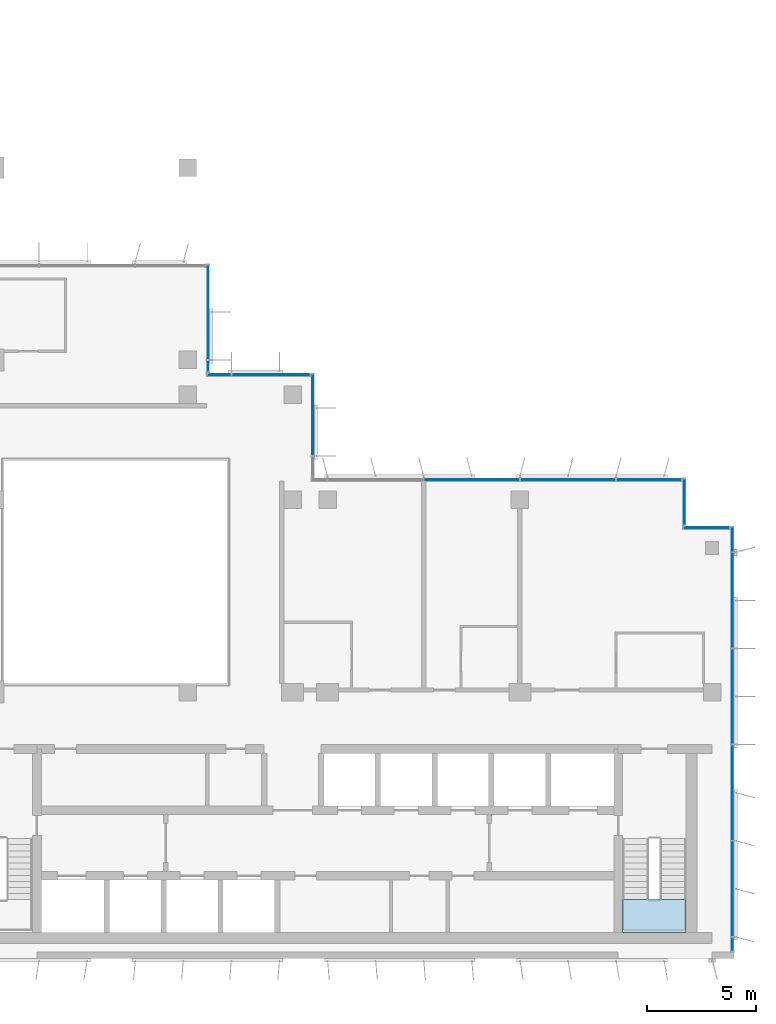
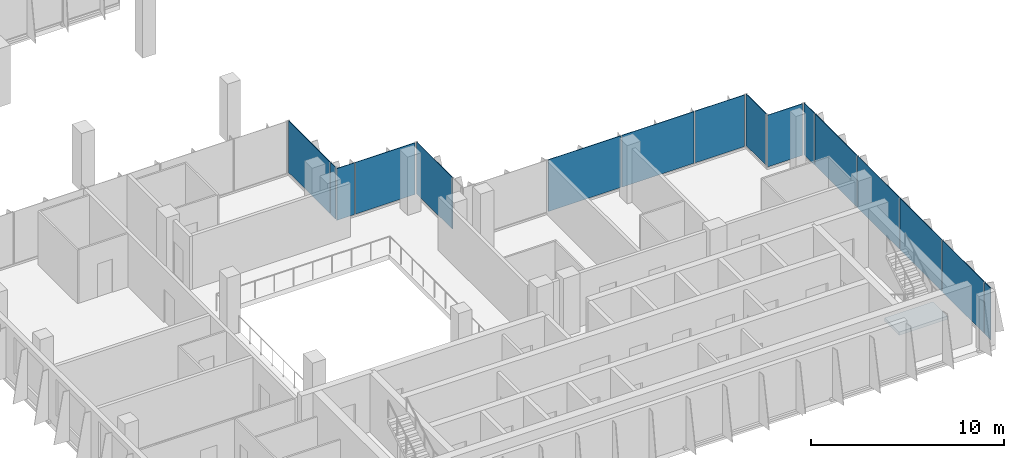
# One storey, part 7 of 14: 16 plates, 1 slab, 8 elements without a shape of their own.
"""IFC4 building model written with IfcOpenShell, lengths in metres."""

from ifc_helpers import new_model, si_unit, direction, frame, origin, origin_2d, place, context, subcontext, project, spatial, polyline, rectangle, outline, extrude, source, transform, mapped, material, layer, layer_set, type_object, element, aggregate, save


model = new_model("IFC4")

# Units and contexts
model_context = context("Model", 3, precision=1e-05, world=origin(), true_north=direction((0.0, 1.0)))
body_context = subcontext(model_context, "Body", "Model", "MODEL_VIEW")
ifc_project = project(units=[si_unit("LENGTHUNIT", "METRE"), si_unit("AREAUNIT", "SQUARE_METRE"), si_unit("VOLUMEUNIT", "CUBIC_METRE"), si_unit("PLANEANGLEUNIT", "RADIAN"), si_unit("MASSUNIT", "GRAM", prefix="KILO")], contexts=[model_context])

# Site, building, storey
site_placement = place(None, origin())
site = spatial("IfcSite", under=ifc_project, at=site_placement, CompositionType="ELEMENT")
building_placement = place(site_placement, origin())
building = spatial("IfcBuilding", under=site, at=building_placement, Name="Kemantara Hotel Tower", CompositionType="ELEMENT")
storey_placement = place(building_placement, frame((0.0, 0.0, 245.0)))
storey = spatial("IfcBuildingStorey", under=building, at=storey_placement, Name="L61", CompositionType="ELEMENT", Elevation=245.0)

# Stair, slab
ifc_material_1 = material(Name="Concrete fc 40 MPa", Category="concrete")
stair_type = type_object("IfcStairType", Name="Stair 1200 wide 22 risers of 168 x 280 mm", PredefinedType="HALF_TURN_STAIR", material=ifc_material_1)
stair_placement = place(storey_placement, origin())
stair = element("IfcStair", 1, at=stair_placement, inside=storey, type_object=stair_type, Name="L61 Exit stair ST2", PredefinedType="HALF_TURN_STAIR")
ifc_layer_1 = layer(ifc_material_1, 0.199951171875)
ifc_layer_set_1 = layer_set([ifc_layer_1], Name="Concrete fc 40 MPa")
slab_type = type_object("IfcSlabType", Name="Stair landing 200 mm", PredefinedType="LANDING", material=ifc_layer_set_1)
slab_placement = place(storey_placement, frame((0.0, 0.0, 1.64990234375)))
slab = element("IfcSlab", 2, at=slab_placement, type_object=slab_type, Name="ST2 landing 1", PredefinedType="LANDING", context=body_context, shape_type="SweptSolid", body=[
    extrude(outline(polyline([(40.89990234375, 2.699951171875), (40.89990234375, 1.199951171875), (43.800048828125, 1.199951171875), (43.800048828125, 2.699951171875), (40.89990234375, 2.699951171875)])), origin(), (0.0, 0.0, 1.0), 0.2001953125),
])
aggregate(stair, [slab])

# Curtain wall, plates
ifc_material_2 = material(Name="Low-E tinted double insulated glass 36 mm", Category="glass")
curtain_wall_type = type_object("IfcCurtainWallType", Name="TOWER CURTAIN WALL, FRONT FACES", PredefinedType="USERDEFINED", material=ifc_material_2)
curtain_wall_1_placement = place(storey_placement, origin())
curtain_wall_1 = element("IfcCurtainWall", 3, at=curtain_wall_1_placement, inside=storey, type_object=curtain_wall_type, Name="CW4 L61 T4P-R06-1", ObjectType="TOWER CURTAIN WALL, FRONT FACES", PredefinedType="USERDEFINED")
ifc_layer_2 = layer(ifc_material_2, 0.035888671875)
ifc_layer_set_2 = layer_set([ifc_layer_2], Name="Low-E tinted double insulated glass 36 mm")
plate_type = type_object("IfcPlateType", Name="TOWER CURTAIN WALL, FRONT FACES PANEL", PredefinedType="CURTAIN_PANEL", material=ifc_layer_set_2)
shared_shape_1 = source(origin(), body_context, "Body", "SweptSolid", [
    extrude(rectangle(XDim=4.340087890625, YDim=0.035888671875, at=origin_2d()), origin(), (0.0, 0.0, 1.0), 3.280029296875),
])
plate_1_placement = place(storey_placement, frame((45.925048828125, 3.199951171875, 0.1201171875), z_axis=(0.0, 0.0, 1.0), x_axis=(0.0, 1.0, 0.0)))
plate_1 = element("IfcPlate", 4, at=plate_1_placement, type_object=plate_type, Name="CW4 glass panel T4P-R06-1.2", PredefinedType="CURTAIN_PANEL", context=body_context, shape_type="MappedRepresentation", body=[
    mapped(shared_shape_1, transform((0.0, 0.0, 0.0))),
])
plate_2_placement = place(storey_placement, frame((45.925048828125, 7.60009765625, 0.1201171875), z_axis=(0.0, 0.0, 1.0), x_axis=(0.0, 1.0, 0.0)))
plate_2 = element("IfcPlate", 5, at=plate_2_placement, type_object=plate_type, Name="CW4 glass panel T4P-R06-1.3", PredefinedType="CURTAIN_PANEL", context=body_context, shape_type="MappedRepresentation", body=[
    mapped(shared_shape_1, transform((0.0, 0.0, 0.0))),
])
plate_3_placement = place(storey_placement, frame((45.925048828125, 12.0, 0.1201171875), z_axis=(0.0, 0.0, 1.0), x_axis=(0.0, 1.0, 0.0)))
plate_3 = element("IfcPlate", 6, at=plate_3_placement, type_object=plate_type, Name="CW4 glass panel T4P-R06-1.4", PredefinedType="CURTAIN_PANEL", context=body_context, shape_type="MappedRepresentation", body=[
    mapped(shared_shape_1, transform((0.0, 0.0, 0.0))),
])
plate_4_placement = place(storey_placement, frame((45.925048828125, 16.39990234375, 0.1201171875), z_axis=(0.0, 0.0, 1.0), x_axis=(0.0, 1.0, 0.0)))
plate_4 = element("IfcPlate", 7, at=plate_4_placement, type_object=plate_type, Name="CW4 glass panel T4P-R06-1.5", PredefinedType="CURTAIN_PANEL", context=body_context, shape_type="MappedRepresentation", body=[
    mapped(shared_shape_1, transform((0.0, 0.0, 0.0))),
])

curtain_wall_2_placement = place(storey_placement, origin())
curtain_wall_2 = element("IfcCurtainWall", 8, at=curtain_wall_2_placement, inside=storey, type_object=curtain_wall_type, Name="CW4 L61 T4P-R09-1", ObjectType="TOWER CURTAIN WALL, FRONT FACES", PredefinedType="USERDEFINED")
plate_5_placement = place(storey_placement, frame((38.39990234375, 21.925048828125, 0.1201171875), z_axis=(0.0, 0.0, 1.0), x_axis=(-1.0, 0.0, 0.0)))
plate_5 = element("IfcPlate", 9, at=plate_5_placement, type_object=plate_type, Name="CW4 glass panel T4P-R09-1.2", PredefinedType="CURTAIN_PANEL", context=body_context, shape_type="MappedRepresentation", body=[
    mapped(shared_shape_1, transform((0.0, 0.0, 0.0))),
])
plate_6_placement = place(storey_placement, frame((34.0, 21.925048828125, 0.1201171875), z_axis=(0.0, 0.0, 1.0), x_axis=(-1.0, 0.0, 0.0)))
plate_6 = element("IfcPlate", 10, at=plate_6_placement, type_object=plate_type, Name="CW4 glass panel T4P-R09-1.3", PredefinedType="CURTAIN_PANEL", context=body_context, shape_type="MappedRepresentation", body=[
    mapped(shared_shape_1, transform((0.0, 0.0, 0.0))),
])

# Curtain wall, plate
curtain_wall_3_placement = place(storey_placement, origin())
curtain_wall_3 = element("IfcCurtainWall", 11, at=curtain_wall_3_placement, inside=storey, type_object=curtain_wall_type, Name="CW4 L61 T4P-R07-1", ObjectType="TOWER CURTAIN WALL, FRONT FACES", PredefinedType="USERDEFINED")
shared_shape_2 = source(origin(), body_context, "Body", "SweptSolid", [
    extrude(rectangle(XDim=2.080078125, YDim=0.035888671875, at=origin_2d()), origin(), (0.0, 0.0, 1.0), 3.280029296875),
])
plate_7_placement = place(storey_placement, frame((44.75, 19.72509765625, 0.1201171875), z_axis=(0.0, 0.0, 1.0), x_axis=(-1.0, 0.0, 0.0)))
plate_7 = element("IfcPlate", 12, at=plate_7_placement, type_object=plate_type, Name="CW4 glass panel T4P-R07-1.1", PredefinedType="CURTAIN_PANEL", context=body_context, shape_type="MappedRepresentation", body=[
    mapped(shared_shape_2, transform((0.0, 0.0, 0.0))),
])
aggregate(curtain_wall_3, [plate_7])

curtain_wall_4_placement = place(storey_placement, origin())
curtain_wall_4 = element("IfcCurtainWall", 13, at=curtain_wall_4_placement, inside=storey, type_object=curtain_wall_type, Name="CW4 L61 T4P-R08-1", ObjectType="TOWER CURTAIN WALL, FRONT FACES", PredefinedType="USERDEFINED")
plate_8_placement = place(storey_placement, frame((43.72509765625, 20.89990234375, 0.1201171875), z_axis=(0.0, 0.0, 1.0), x_axis=(0.0, 1.0, 0.0)))
plate_8 = element("IfcPlate", 14, at=plate_8_placement, type_object=plate_type, Name="CW4 glass panel T4P-R08-1.1", PredefinedType="CURTAIN_PANEL", context=body_context, shape_type="MappedRepresentation", body=[
    mapped(shared_shape_2, transform((0.0, 0.0, 0.0))),
])
aggregate(curtain_wall_4, [plate_8])

# Plate
shared_shape_3 = source(origin(), body_context, "Body", "SweptSolid", [
    extrude(rectangle(XDim=2.9599609375, YDim=0.035888671875, at=origin_2d()), origin(), (0.0, 0.0, 1.0), 3.280029296875),
])
plate_9_placement = place(storey_placement, frame((42.110107421875, 21.925048828125, 0.1201171875), z_axis=(0.0, 0.0, 1.0), x_axis=(-1.0, 0.0, 0.0)))
plate_9 = element("IfcPlate", 15, at=plate_9_placement, type_object=plate_type, Name="CW4 glass panel T4P-R09-1.1", PredefinedType="CURTAIN_PANEL", context=body_context, shape_type="MappedRepresentation", body=[
    mapped(shared_shape_3, transform((0.0, 0.0, 0.0))),
])

aggregate(curtain_wall_2, [plate_9, plate_5, plate_6])

# Curtain wall, plate
curtain_wall_5_placement = place(storey_placement, origin())
curtain_wall_5 = element("IfcCurtainWall", 16, at=curtain_wall_5_placement, inside=storey, type_object=curtain_wall_type, Name="CW4 L61 T4P-R00-1", ObjectType="TOWER CURTAIN WALL, FRONT FACES", PredefinedType="USERDEFINED")
shared_shape_4 = source(origin(), body_context, "Body", "SweptSolid", [
    extrude(rectangle(XDim=0.510009765625, YDim=0.035888671875, at=origin_2d()), origin(), (0.0, 0.0, 1.0), 3.280029296875),
])
plate_10_placement = place(storey_placement, frame((21.925048828125, 27.114990234375, 0.1201171875), z_axis=(0.0, 0.0, 1.0), x_axis=(0.0, 1.0, 0.0)))
plate_10 = element("IfcPlate", 17, at=plate_10_placement, type_object=plate_type, Name="CW4 glass panel T4P-R00-1.1", PredefinedType="CURTAIN_PANEL", context=body_context, shape_type="MappedRepresentation", body=[
    mapped(shared_shape_4, transform((0.0, 0.0, 0.0))),
])

# Plate
shared_shape_5 = source(origin(), body_context, "Body", "SweptSolid", [
    extrude(rectangle(XDim=1.110107421875, YDim=0.035888671875, at=origin_2d()), origin(), (0.0, 0.0, 1.0), 3.280029296875),
])
plate_11_placement = place(storey_placement, frame((45.925048828125, 19.18505859375, 0.1201171875), z_axis=(0.0, 0.0, 1.0), x_axis=(0.0, 1.0, 0.0)))
plate_11 = element("IfcPlate", 18, at=plate_11_placement, type_object=plate_type, Name="CW4 glass panel T4P-R06-1.6", PredefinedType="CURTAIN_PANEL", context=body_context, shape_type="MappedRepresentation", body=[
    mapped(shared_shape_5, transform((0.0, 0.0, 0.0))),
])

# Curtain wall, plate
curtain_wall_6_placement = place(storey_placement, origin())
curtain_wall_6 = element("IfcCurtainWall", 19, at=curtain_wall_6_placement, inside=storey, type_object=curtain_wall_type, Name="CW4 L61 T4P-R10-1", ObjectType="TOWER CURTAIN WALL, FRONT FACES", PredefinedType="USERDEFINED")
shared_shape_6 = source(origin(), body_context, "Body", "SweptSolid", [
    extrude(rectangle(XDim=3.7099609375, YDim=0.035888671875, at=origin_2d()), origin(), (0.0, 0.0, 1.0), 3.280029296875),
])
plate_12_placement = place(storey_placement, frame((26.72509765625, 24.885009765625, 0.1201171875), z_axis=(0.0, 0.0, 1.0), x_axis=(0.0, 1.0, 0.0)))
plate_12 = element("IfcPlate", 20, at=plate_12_placement, type_object=plate_type, Name="CW4 glass panel T4P-R10-1.2", PredefinedType="CURTAIN_PANEL", context=body_context, shape_type="MappedRepresentation", body=[
    mapped(shared_shape_6, transform((0.0, 0.0, 0.0))),
])
aggregate(curtain_wall_6, [plate_12])

# Curtain wall, plates
curtain_wall_7_placement = place(storey_placement, origin())
curtain_wall_7 = element("IfcCurtainWall", 21, at=curtain_wall_7_placement, inside=storey, type_object=curtain_wall_type, Name="CW4 L61 T4P-R11-1", ObjectType="TOWER CURTAIN WALL, FRONT FACES", PredefinedType="USERDEFINED")
shared_shape_7 = source(origin(), body_context, "Body", "SweptSolid", [
    extrude(rectangle(XDim=3.56005859375, YDim=0.035888671875, at=origin_2d()), origin(), (0.0, 0.0, 1.0), 3.280029296875),
])
plate_13_placement = place(storey_placement, frame((24.81005859375, 26.72509765625, 0.1201171875), z_axis=(0.0, 0.0, 1.0), x_axis=(-1.0, 0.0, 0.0)))
plate_13 = element("IfcPlate", 22, at=plate_13_placement, type_object=plate_type, Name="CW4 glass panel T4P-R11-1.1", PredefinedType="CURTAIN_PANEL", context=body_context, shape_type="MappedRepresentation", body=[
    mapped(shared_shape_7, transform((0.0, 0.0, 0.0))),
])
shared_shape_8 = source(origin(), body_context, "Body", "SweptSolid", [
    extrude(rectangle(XDim=1.06005859375, YDim=0.035888671875, at=origin_2d()), origin(), (0.0, 0.0, 1.0), 3.280029296875),
])
plate_14_placement = place(storey_placement, frame((22.43994140625, 26.72509765625, 0.1201171875), z_axis=(0.0, 0.0, 1.0), x_axis=(-1.0, 0.0, 0.0)))
plate_14 = element("IfcPlate", 23, at=plate_14_placement, type_object=plate_type, Name="CW4 glass panel T4P-R11-1.2", PredefinedType="CURTAIN_PANEL", context=body_context, shape_type="MappedRepresentation", body=[
    mapped(shared_shape_8, transform((0.0, 0.0, 0.0))),
])
aggregate(curtain_wall_7, [plate_13, plate_14])

# Plate
shared_shape_9 = source(origin(), body_context, "Body", "SweptSolid", [
    extrude(rectangle(XDim=0.610107421875, YDim=0.035888671875, at=origin_2d()), origin(), (0.0, 0.0, 1.0), 3.280029296875),
])
plate_15_placement = place(storey_placement, frame((45.925048828125, 0.6650390625, 0.1201171875), z_axis=(0.0, 0.0, 1.0), x_axis=(0.0, 1.0, 0.0)))
plate_15 = element("IfcPlate", 24, at=plate_15_placement, type_object=plate_type, Name="CW4 glass panel T4P-R06-1.1", PredefinedType="CURTAIN_PANEL", context=body_context, shape_type="MappedRepresentation", body=[
    mapped(shared_shape_9, transform((0.0, 0.0, 0.0))),
])

aggregate(curtain_wall_1, [plate_15, plate_1, plate_2, plate_3, plate_4, plate_11])

shared_shape_10 = source(origin(), body_context, "Body", "SweptSolid", [
    extrude(rectangle(XDim=4.31005859375, YDim=0.035888671875, at=origin_2d()), origin(), (0.0, 0.0, 1.0), 3.280029296875),
])
plate_16_placement = place(storey_placement, frame((21.925048828125, 29.5849609375, 0.1201171875), z_axis=(0.0, 0.0, 1.0), x_axis=(0.0, 1.0, 0.0)))
plate_16 = element("IfcPlate", 25, at=plate_16_placement, type_object=plate_type, Name="CW4 glass panel T4P-R00-1.2", PredefinedType="CURTAIN_PANEL", context=body_context, shape_type="MappedRepresentation", body=[
    mapped(shared_shape_10, transform((0.0, 0.0, 0.0))),
])

aggregate(curtain_wall_5, [plate_10, plate_16])

save(model, "model.ifc")
